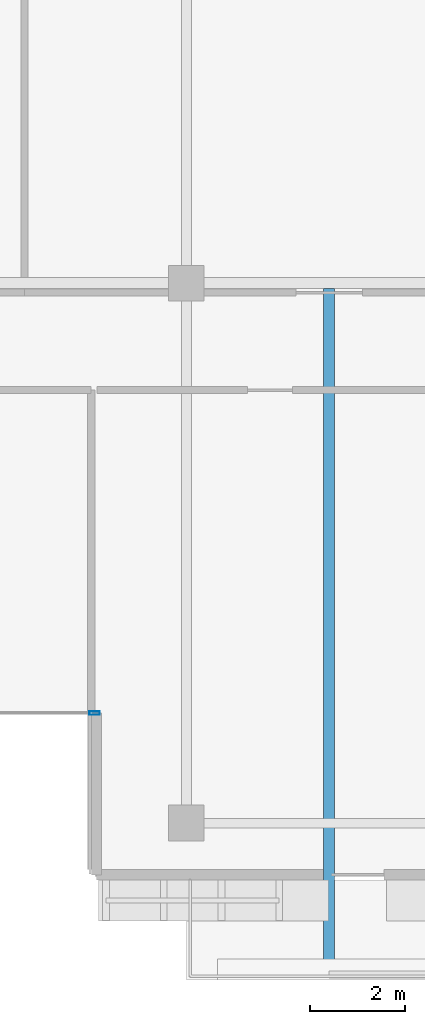
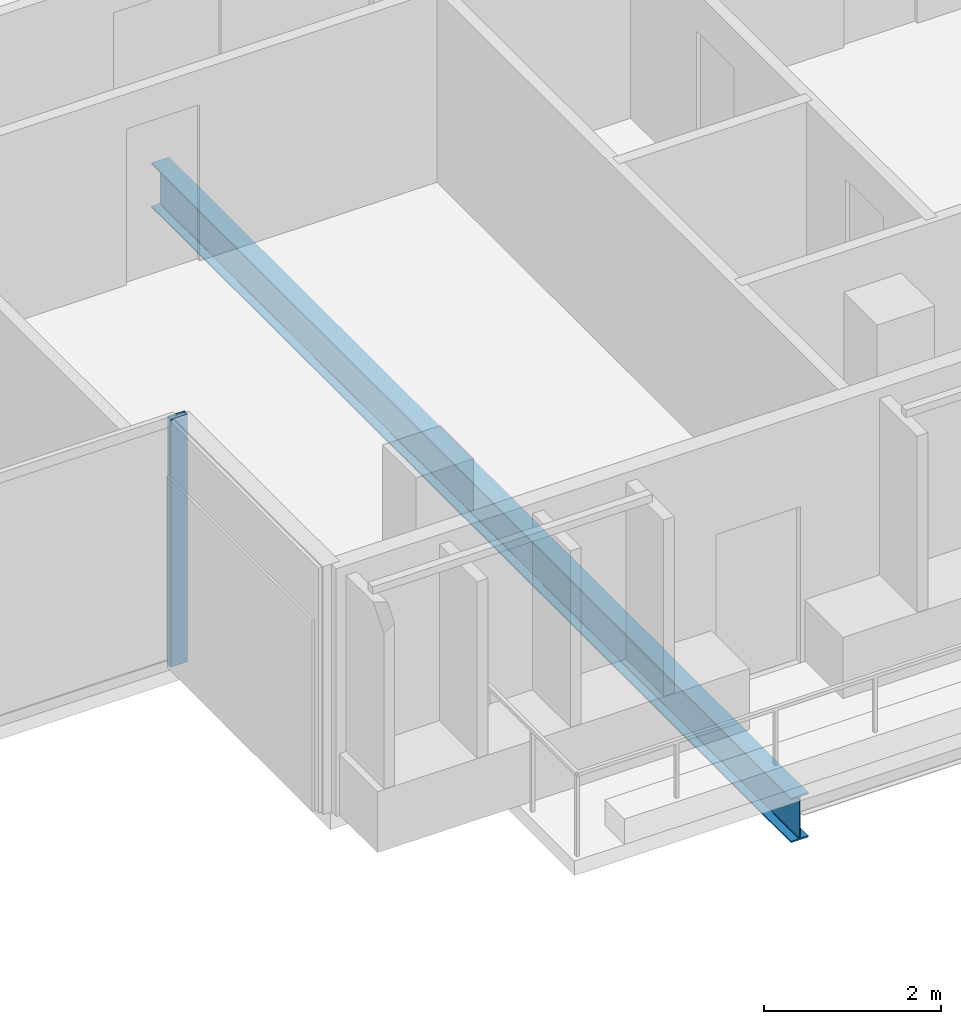
# One storey, part 4 of 23: 1 beam, 1 member, 1 element without a shape of its own.
"""IFC4 building model written with IfcOpenShell, lengths in metres."""

from ifc_helpers import new_model, si_unit, direction, frame, origin, origin_2d, place, context, subcontext, project, spatial, hollow_rectangle, i_section, extrude, material, layer, layer_set, material_profile, profile_set, type_object, element, aggregate, save


model = new_model("IFC4")

# Units and contexts
model_context = context("Model", 3, precision=1e-05, world=origin(), true_north=direction((0.0, 1.0)))
body_context = subcontext(model_context, "Body", "Model", "MODEL_VIEW")
ifc_project = project(units=[si_unit("LENGTHUNIT", "METRE"), si_unit("AREAUNIT", "SQUARE_METRE"), si_unit("VOLUMEUNIT", "CUBIC_METRE"), si_unit("PLANEANGLEUNIT", "RADIAN"), si_unit("MASSUNIT", "GRAM", prefix="KILO")], contexts=[model_context])

# Site, building, storey
site_placement = place(None, origin())
site = spatial("IfcSite", under=ifc_project, at=site_placement, CompositionType="ELEMENT")
building_placement = place(site_placement, origin())
building = spatial("IfcBuilding", under=site, at=building_placement, Name="Tanjung Sevakor Pilgrim Tower", CompositionType="ELEMENT")
storey_placement = place(building_placement, frame((0.0, 0.0, 215.489990234375)))
storey = spatial("IfcBuildingStorey", under=building, at=storey_placement, Name="L60", CompositionType="ELEMENT", Elevation=215.489990234375)

# Beam
ifc_material_1 = material(Name="Steel S355J2", Category="steel")
ifc_material_profile_1 = material_profile(ifc_material_1, i_section(OverallWidth=0.22900390625, OverallDepth=0.6123046875, WebThickness=0.011962890625, FlangeThickness=0.01953125, FilletRadius=0.0126953125, at=origin_2d()))
ifc_profile_set_1 = profile_set([ifc_material_profile_1], Name="Steel S355J2")
beam_type = type_object("IfcBeamType", Name="BM-B-G4-UB_610x229x125", PredefinedType="BEAM", material=ifc_profile_set_1)
beam_placement = place(storey_placement, frame((57.0, 24.485595703125, -0.526123046875), z_axis=(0.0, -1.0, 0.0), x_axis=(1.0, 0.0, 0.0)))
element("IfcBeam", 1, at=beam_placement, inside=storey, type_object=beam_type, Name="L60 Balcony Cantilever Beam MAIN-S2-1", PredefinedType="BEAM", context=body_context, shape_type="SweptSolid", body=[
    extrude(i_section(OverallWidth=0.22900390625, OverallDepth=0.6123046875, WebThickness=0.011962890625, FlangeThickness=0.01953125, FilletRadius=0.0126953125, at=origin_2d()), origin(), (0.0, 0.0, 1.0), 14.41552734375),
])

# Curtain wall, member
ifc_material_2 = material(Name="Aluminium 6063-T6 and Low-E Glass", Category="aluminium")
ifc_layer = layer(ifc_material_2, 0.179931640625)
ifc_layer_set = layer_set([ifc_layer], Name="CW-SYS-CLEFT")
curtain_wall_type = type_object("IfcCurtainWallType", Name="CW-SYS-CLEFT", PredefinedType="NOTDEFINED", material=ifc_layer_set)
curtain_wall_placement = place(storey_placement, origin())
curtain_wall = element("IfcCurtainWall", 2, at=curtain_wall_placement, inside=storey, type_object=curtain_wall_type, Name="L60 Curtain Wall CW-CLF-L60-2", PredefinedType="NOTDEFINED")
ifc_material_3 = material(Name="Aluminium 6063-T6", Category="aluminium")
ifc_material_profile_2 = material_profile(ifc_material_3, hollow_rectangle(XDim=0.074951171875, YDim=0.219970703125, WallThickness=0.0048828125, at=origin_2d()))
ifc_profile_set_2 = profile_set([ifc_material_profile_2], Name="Aluminium 6063-T6")
member_type = type_object("IfcMemberType", Name="TYPE-CWM-2", PredefinedType="MULLION", material=ifc_profile_set_2)
member_placement = place(storey_placement, frame((52.072509765625, 15.56005859375, 0.0), z_axis=(0.0, 0.0, 1.0), x_axis=(0.0, 1.0, 0.0)))
member = element("IfcMember", 3, at=member_placement, type_object=member_type, Name="CW-CLF mullion 2", PredefinedType="MULLION", context=body_context, shape_type="SweptSolid", body=[
    extrude(hollow_rectangle(XDim=0.074951171875, YDim=0.219970703125, WallThickness=0.0048828125, at=origin_2d()), origin(), (0.0, 0.0, 1.0), 3.409912109375),
])
aggregate(curtain_wall, [member])

save(model, "model.ifc")
